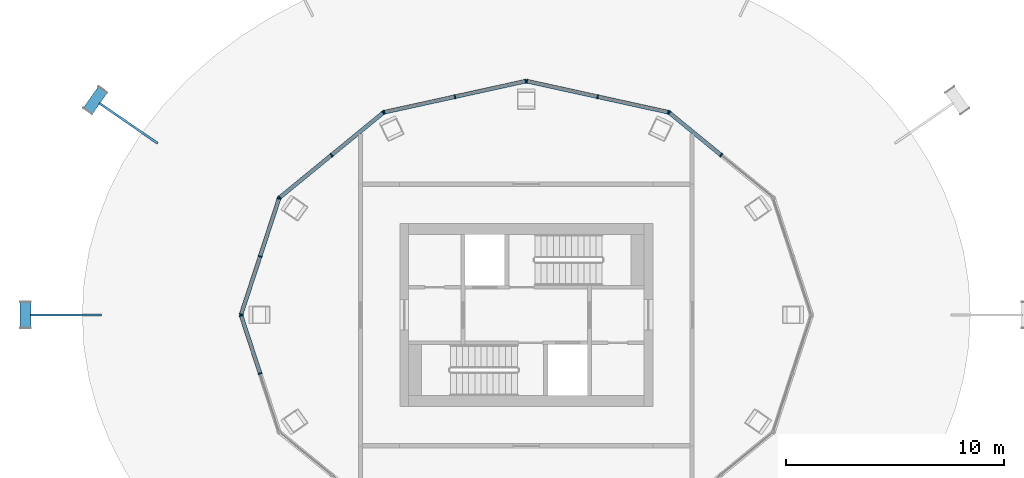
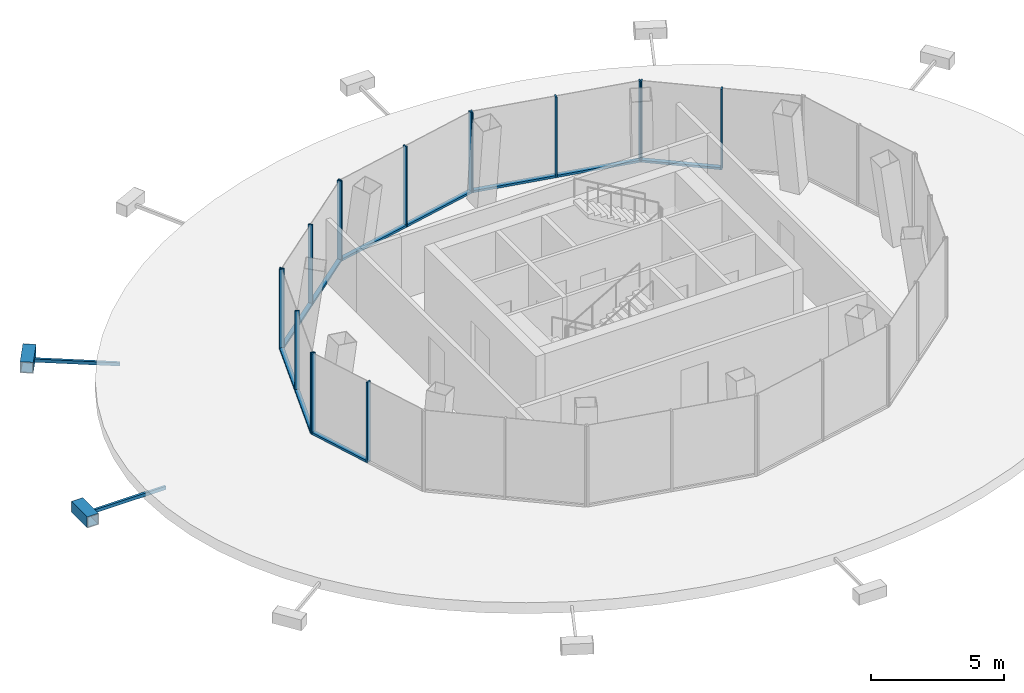
# One storey, part 3 of 10: 30 members, 6 elements without a shape of their own.
"""IFC4 building model written with IfcOpenShell, lengths in metres."""

from ifc_helpers import new_model, si_unit, direction, frame, origin, origin_2d, place, context, subcontext, project, spatial, rectangle, hollow_rectangle, extrude, material, layer, layer_set, material_profile, profile_set, type_object, element, aggregate, save


model = new_model("IFC4")

# Units and contexts
model_context = context("Model", 3, precision=1e-05, world=origin(), true_north=direction((0.0, 1.0)))
body_context = subcontext(model_context, "Body", "Model", "MODEL_VIEW")
ifc_project = project(units=[si_unit("LENGTHUNIT", "METRE"), si_unit("AREAUNIT", "SQUARE_METRE"), si_unit("VOLUMEUNIT", "CUBIC_METRE"), si_unit("PLANEANGLEUNIT", "RADIAN"), si_unit("MASSUNIT", "GRAM", prefix="KILO")], contexts=[model_context])

# Site, building, storey
site_placement = place(None, origin())
site = spatial("IfcSite", under=ifc_project, at=site_placement, CompositionType="ELEMENT")
building_placement = place(site_placement, origin())
building = spatial("IfcBuilding", under=site, at=building_placement, Name="Siaravel Broadcast Tower", CompositionType="ELEMENT")
storey_placement = place(building_placement, frame((0.0, 0.0, 272.60009765625)))
storey = spatial("IfcBuildingStorey", under=building, at=storey_placement, Name="L66", CompositionType="ELEMENT", Elevation=272.60009765625)

# Curtain wall, members
ifc_material_1 = material(Name="Aluminium 6063-T6", Category="aluminium")
ifc_layer = layer(ifc_material_1, 0.179931640625)
ifc_layer_set = layer_set([ifc_layer], Name="Aluminium 6063-T6")
curtain_wall_type = type_object("IfcCurtainWallType", Name="Crown glass facet wall", PredefinedType="NOTDEFINED", material=ifc_layer_set)
curtain_wall_1_placement = place(storey_placement, origin())
curtain_wall_1 = element("IfcCurtainWall", 1, at=curtain_wall_1_placement, inside=storey, type_object=curtain_wall_type, Name="L66 Crown glass facet wall 02", PredefinedType="NOTDEFINED")
ifc_material_profile_1 = material_profile(ifc_material_1, rectangle(XDim=0.179931640625, YDim=0.06005859375, at=origin_2d()))
ifc_profile_set_1 = profile_set([ifc_material_profile_1], Name="Aluminium 6063-T6")
member_type_1 = type_object("IfcMemberType", Name="CW-CR mullion", PredefinedType="MULLION", material=ifc_profile_set_1)
member_1_placement = place(storey_placement, frame((8.9326171875, 7.328369140625, 0.0), z_axis=(0.0, 0.0, 1.0), x_axis=(-0.63371155, -0.773569435, 0.0)))
member_1 = element("IfcMember", 2, at=member_1_placement, type_object=member_type_1, Name="CW-CR mullion 2", PredefinedType="MULLION", context=body_context, shape_type="SweptSolid", body=[
    extrude(rectangle(XDim=0.179931640625, YDim=0.06005859375, at=origin_2d()), origin(), (0.0, 0.0, 1.0), 3.699951171875),
])
member_2_placement = place(storey_placement, frame((6.560791015625, 9.271240234375, 0.0), z_axis=(0.0, 0.0, 1.0), x_axis=(-0.63371155, -0.773569435, 0.0)))
member_2 = element("IfcMember", 3, at=member_2_placement, type_object=member_type_1, Name="CW-CR mullion 3", PredefinedType="MULLION", context=body_context, shape_type="SweptSolid", body=[
    extrude(rectangle(XDim=0.179931640625, YDim=0.06005859375, at=origin_2d()), origin(), (0.0, 0.0, 1.0), 3.699951171875),
])

curtain_wall_2_placement = place(storey_placement, origin())
curtain_wall_2 = element("IfcCurtainWall", 4, at=curtain_wall_2_placement, inside=storey, type_object=curtain_wall_type, Name="L66 Crown glass facet wall 03", PredefinedType="NOTDEFINED")
member_3_placement = place(storey_placement, frame((6.50830078125, 9.296630859375, 0.0), z_axis=(0.0, 0.0, 1.0), x_axis=(-0.214393853, -0.976747294, 0.0)))
member_3 = element("IfcMember", 5, at=member_3_placement, type_object=member_type_1, Name="CW-CR mullion 1", PredefinedType="MULLION", context=body_context, shape_type="SweptSolid", body=[
    extrude(rectangle(XDim=0.179931640625, YDim=0.06005859375, at=origin_2d()), origin(), (0.0, 0.0, 1.0), 3.699951171875),
])
member_4_placement = place(storey_placement, frame((3.268798828125, 10.0078125, 0.0), z_axis=(0.0, 0.0, 1.0), x_axis=(-0.214393853, -0.976747294, 0.0)))
member_4 = element("IfcMember", 6, at=member_4_placement, type_object=member_type_1, Name="CW-CR mullion 2", PredefinedType="MULLION", context=body_context, shape_type="SweptSolid", body=[
    extrude(rectangle(XDim=0.179931640625, YDim=0.06005859375, at=origin_2d()), origin(), (0.0, 0.0, 1.0), 3.699951171875),
])
member_5_placement = place(storey_placement, frame((0.029296875, 10.71875, 0.0), z_axis=(0.0, 0.0, 1.0), x_axis=(-0.214393853, -0.976747294, 0.0)))
member_5 = element("IfcMember", 7, at=member_5_placement, type_object=member_type_1, Name="CW-CR mullion 3", PredefinedType="MULLION", context=body_context, shape_type="SweptSolid", body=[
    extrude(rectangle(XDim=0.179931640625, YDim=0.06005859375, at=origin_2d()), origin(), (0.0, 0.0, 1.0), 3.699951171875),
])

curtain_wall_3_placement = place(storey_placement, origin())
curtain_wall_3 = element("IfcCurtainWall", 8, at=curtain_wall_3_placement, inside=storey, type_object=curtain_wall_type, Name="L66 Crown glass facet wall 04", PredefinedType="NOTDEFINED")
member_6_placement = place(storey_placement, frame((-0.029296875, 10.71875, 0.0), z_axis=(0.0, 0.0, 1.0), x_axis=(0.214393853, -0.976747294, 0.0)))
member_6 = element("IfcMember", 9, at=member_6_placement, type_object=member_type_1, Name="CW-CR mullion 1", PredefinedType="MULLION", context=body_context, shape_type="SweptSolid", body=[
    extrude(rectangle(XDim=0.179931640625, YDim=0.06005859375, at=origin_2d()), origin(), (0.0, 0.0, 1.0), 3.699951171875),
])
member_7_placement = place(storey_placement, frame((-3.268798828125, 10.0078125, 0.0), z_axis=(0.0, 0.0, 1.0), x_axis=(0.214393853, -0.976747294, 0.0)))
member_7 = element("IfcMember", 10, at=member_7_placement, type_object=member_type_1, Name="CW-CR mullion 2", PredefinedType="MULLION", context=body_context, shape_type="SweptSolid", body=[
    extrude(rectangle(XDim=0.179931640625, YDim=0.06005859375, at=origin_2d()), origin(), (0.0, 0.0, 1.0), 3.699951171875),
])
member_8_placement = place(storey_placement, frame((-6.50830078125, 9.296630859375, 0.0), z_axis=(0.0, 0.0, 1.0), x_axis=(0.214393853, -0.976747294, 0.0)))
member_8 = element("IfcMember", 11, at=member_8_placement, type_object=member_type_1, Name="CW-CR mullion 3", PredefinedType="MULLION", context=body_context, shape_type="SweptSolid", body=[
    extrude(rectangle(XDim=0.179931640625, YDim=0.06005859375, at=origin_2d()), origin(), (0.0, 0.0, 1.0), 3.699951171875),
])

curtain_wall_4_placement = place(storey_placement, origin())
curtain_wall_4 = element("IfcCurtainWall", 12, at=curtain_wall_4_placement, inside=storey, type_object=curtain_wall_type, Name="L66 Crown glass facet wall 05", PredefinedType="NOTDEFINED")
member_9_placement = place(storey_placement, frame((-6.560791015625, 9.271240234375, 0.0), z_axis=(0.0, 0.0, 1.0), x_axis=(0.63371155, -0.773569435, 0.0)))
member_9 = element("IfcMember", 13, at=member_9_placement, type_object=member_type_1, Name="CW-CR mullion 1", PredefinedType="MULLION", context=body_context, shape_type="SweptSolid", body=[
    extrude(rectangle(XDim=0.179931640625, YDim=0.06005859375, at=origin_2d()), origin(), (0.0, 0.0, 1.0), 3.699951171875),
])
member_10_placement = place(storey_placement, frame((-8.9326171875, 7.328369140625, 0.0), z_axis=(0.0, 0.0, 1.0), x_axis=(0.63371155, -0.773569435, 0.0)))
member_10 = element("IfcMember", 14, at=member_10_placement, type_object=member_type_1, Name="CW-CR mullion 2", PredefinedType="MULLION", context=body_context, shape_type="SweptSolid", body=[
    extrude(rectangle(XDim=0.179931640625, YDim=0.06005859375, at=origin_2d()), origin(), (0.0, 0.0, 1.0), 3.699951171875),
])
member_11_placement = place(storey_placement, frame((-11.30419921875, 5.385498046875, 0.0), z_axis=(0.0, 0.0, 1.0), x_axis=(0.63371155, -0.773569435, 0.0)))
member_11 = element("IfcMember", 15, at=member_11_placement, type_object=member_type_1, Name="CW-CR mullion 3", PredefinedType="MULLION", context=body_context, shape_type="SweptSolid", body=[
    extrude(rectangle(XDim=0.179931640625, YDim=0.06005859375, at=origin_2d()), origin(), (0.0, 0.0, 1.0), 3.699951171875),
])

curtain_wall_5_placement = place(storey_placement, origin())
curtain_wall_5 = element("IfcCurtainWall", 16, at=curtain_wall_5_placement, inside=storey, type_object=curtain_wall_type, Name="L66 Crown glass facet wall 06", PredefinedType="NOTDEFINED")
member_12_placement = place(storey_placement, frame((-11.3369140625, 5.337890625, 0.0), z_axis=(0.0, 0.0, 1.0), x_axis=(0.950455191, -0.310861592, 0.0)))
member_12 = element("IfcMember", 17, at=member_12_placement, type_object=member_type_1, Name="CW-CR mullion 1", PredefinedType="MULLION", context=body_context, shape_type="SweptSolid", body=[
    extrude(rectangle(XDim=0.179931640625, YDim=0.06005859375, at=origin_2d()), origin(), (0.0, 0.0, 1.0), 3.699951171875),
])
member_13_placement = place(storey_placement, frame((-12.205078125, 2.68310546875, 0.0), z_axis=(0.0, 0.0, 1.0), x_axis=(0.950455191, -0.310861592, 0.0)))
member_13 = element("IfcMember", 18, at=member_13_placement, type_object=member_type_1, Name="CW-CR mullion 2", PredefinedType="MULLION", context=body_context, shape_type="SweptSolid", body=[
    extrude(rectangle(XDim=0.179931640625, YDim=0.06005859375, at=origin_2d()), origin(), (0.0, 0.0, 1.0), 3.699951171875),
])
member_14_placement = place(storey_placement, frame((-13.0732421875, 0.028564453125, 0.0), z_axis=(0.0, 0.0, 1.0), x_axis=(0.950455191, -0.310861592, 0.0)))
member_14 = element("IfcMember", 19, at=member_14_placement, type_object=member_type_1, Name="CW-CR mullion 3", PredefinedType="MULLION", context=body_context, shape_type="SweptSolid", body=[
    extrude(rectangle(XDim=0.179931640625, YDim=0.06005859375, at=origin_2d()), origin(), (0.0, 0.0, 1.0), 3.699951171875),
])

curtain_wall_6_placement = place(storey_placement, origin())
curtain_wall_6 = element("IfcCurtainWall", 20, at=curtain_wall_6_placement, inside=storey, type_object=curtain_wall_type, Name="L66 Crown glass facet wall 07", PredefinedType="NOTDEFINED")
member_15_placement = place(storey_placement, frame((-13.0732421875, -0.028564453125, 0.0), z_axis=(0.0, 0.0, 1.0), x_axis=(0.950455191, 0.310861592, 0.0)))
member_15 = element("IfcMember", 21, at=member_15_placement, type_object=member_type_1, Name="CW-CR mullion 1", PredefinedType="MULLION", context=body_context, shape_type="SweptSolid", body=[
    extrude(rectangle(XDim=0.179931640625, YDim=0.06005859375, at=origin_2d()), origin(), (0.0, 0.0, 1.0), 3.699951171875),
])
member_16_placement = place(storey_placement, frame((-12.205078125, -2.68310546875, 0.0), z_axis=(0.0, 0.0, 1.0), x_axis=(0.950455191, 0.310861592, 0.0)))
member_16 = element("IfcMember", 22, at=member_16_placement, type_object=member_type_1, Name="CW-CR mullion 2", PredefinedType="MULLION", context=body_context, shape_type="SweptSolid", body=[
    extrude(rectangle(XDim=0.179931640625, YDim=0.06005859375, at=origin_2d()), origin(), (0.0, 0.0, 1.0), 3.699951171875),
])

# Member
ifc_material_profile_2 = material_profile(ifc_material_1, rectangle(XDim=0.179931640625, YDim=0.10009765625, at=origin_2d()))
ifc_profile_set_2 = profile_set([ifc_material_profile_2], Name="Aluminium 6063-T6")
member_type_2 = type_object("IfcMemberType", Name="CW-CR transom", PredefinedType="USERDEFINED", material=ifc_profile_set_2)
member_17_placement = place(storey_placement, frame((8.9091796875, 7.347412109375, 0.0498046875), z_axis=(-0.773573557, 0.633706519, 0.0), x_axis=(-0.633706519, -0.773573557, 0.0)))
member_17 = element("IfcMember", 23, at=member_17_placement, type_object=member_type_2, Name="CW-CR transom 2", ObjectType="TRANSOM", PredefinedType="USERDEFINED", context=body_context, shape_type="SweptSolid", body=[
    extrude(rectangle(XDim=0.179931640625, YDim=0.10009765625, at=origin_2d()), origin(), (0.0, 0.0, 1.0), 3.005859375),
])

aggregate(curtain_wall_1, [member_1, member_2, member_17])

member_18_placement = place(storey_placement, frame((6.47900390625, 9.302978515625, 0.0498046875), z_axis=(-0.976744726, 0.21440555, 0.0), x_axis=(-0.21440555, -0.976744726, 0.0)))
member_18 = element("IfcMember", 24, at=member_18_placement, type_object=member_type_2, Name="CW-CR transom 1", ObjectType="TRANSOM", PredefinedType="USERDEFINED", context=body_context, shape_type="SweptSolid", body=[
    extrude(rectangle(XDim=0.179931640625, YDim=0.10009765625, at=origin_2d()), origin(), (0.0, 0.0, 1.0), 3.256591796875),
])

member_19_placement = place(storey_placement, frame((3.239501953125, 10.01416015625, 0.0498046875), z_axis=(-0.976744726, 0.21440555, 0.0), x_axis=(-0.21440555, -0.976744726, 0.0)))
member_19 = element("IfcMember", 25, at=member_19_placement, type_object=member_type_2, Name="CW-CR transom 2", ObjectType="TRANSOM", PredefinedType="USERDEFINED", context=body_context, shape_type="SweptSolid", body=[
    extrude(rectangle(XDim=0.179931640625, YDim=0.10009765625, at=origin_2d()), origin(), (0.0, 0.0, 1.0), 3.256591796875),
])

aggregate(curtain_wall_2, [member_3, member_4, member_5, member_18, member_19])

member_20_placement = place(storey_placement, frame((-0.05859375, 10.71240234375, 0.0498046875), z_axis=(-0.976744726, -0.21440555, 0.0), x_axis=(0.21440555, -0.976744726, 0.0)))
member_20 = element("IfcMember", 26, at=member_20_placement, type_object=member_type_2, Name="CW-CR transom 1", ObjectType="TRANSOM", PredefinedType="USERDEFINED", context=body_context, shape_type="SweptSolid", body=[
    extrude(rectangle(XDim=0.179931640625, YDim=0.10009765625, at=origin_2d()), origin(), (0.0, 0.0, 1.0), 3.256591796875),
])

member_21_placement = place(storey_placement, frame((-3.298095703125, 10.001220703125, 0.0498046875), z_axis=(-0.976744726, -0.21440555, 0.0), x_axis=(0.21440555, -0.976744726, 0.0)))
member_21 = element("IfcMember", 27, at=member_21_placement, type_object=member_type_2, Name="CW-CR transom 2", ObjectType="TRANSOM", PredefinedType="USERDEFINED", context=body_context, shape_type="SweptSolid", body=[
    extrude(rectangle(XDim=0.179931640625, YDim=0.10009765625, at=origin_2d()), origin(), (0.0, 0.0, 1.0), 3.256591796875),
])

aggregate(curtain_wall_3, [member_6, member_7, member_8, member_20, member_21])

member_22_placement = place(storey_placement, frame((-6.583984375, 9.252197265625, 0.0498046875), z_axis=(-0.773573557, -0.633706519, 0.0), x_axis=(0.633706519, -0.773573557, 0.0)))
member_22 = element("IfcMember", 28, at=member_22_placement, type_object=member_type_2, Name="CW-CR transom 1", ObjectType="TRANSOM", PredefinedType="USERDEFINED", context=body_context, shape_type="SweptSolid", body=[
    extrude(rectangle(XDim=0.179931640625, YDim=0.10009765625, at=origin_2d()), origin(), (0.0, 0.0, 1.0), 3.005859375),
])

member_23_placement = place(storey_placement, frame((-8.955810546875, 7.309326171875, 0.0498046875), z_axis=(-0.77353374, -0.633755121, 0.0), x_axis=(0.633755121, -0.77353374, 0.0)))
member_23 = element("IfcMember", 29, at=member_23_placement, type_object=member_type_2, Name="CW-CR transom 2", ObjectType="TRANSOM", PredefinedType="USERDEFINED", context=body_context, shape_type="SweptSolid", body=[
    extrude(rectangle(XDim=0.179931640625, YDim=0.10009765625, at=origin_2d()), origin(), (0.0, 0.0, 1.0), 3.005859375),
])

aggregate(curtain_wall_4, [member_9, member_10, member_11, member_22, member_23])

member_24_placement = place(storey_placement, frame((-11.34619140625, 5.309326171875, 0.0498046875), z_axis=(-0.310863012, -0.950454727, 0.0), x_axis=(0.950454727, -0.310863012, 0.0)))
member_24 = element("IfcMember", 30, at=member_24_placement, type_object=member_type_2, Name="CW-CR transom 1", ObjectType="TRANSOM", PredefinedType="USERDEFINED", context=body_context, shape_type="SweptSolid", body=[
    extrude(rectangle(XDim=0.179931640625, YDim=0.10009765625, at=origin_2d()), origin(), (0.0, 0.0, 1.0), 2.733154296875),
])

member_25_placement = place(storey_placement, frame((-12.21435546875, 2.65478515625, 0.0498046875), z_axis=(-0.310836621, -0.950463358, 0.0), x_axis=(0.950463358, -0.310836621, 0.0)))
member_25 = element("IfcMember", 31, at=member_25_placement, type_object=member_type_2, Name="CW-CR transom 2", ObjectType="TRANSOM", PredefinedType="USERDEFINED", context=body_context, shape_type="SweptSolid", body=[
    extrude(rectangle(XDim=0.179931640625, YDim=0.10009765625, at=origin_2d()), origin(), (0.0, 0.0, 1.0), 2.7333984375),
])

aggregate(curtain_wall_5, [member_12, member_13, member_14, member_24, member_25])

member_26_placement = place(storey_placement, frame((-13.06396484375, -0.056884765625, 0.0498046875), z_axis=(0.310836621, -0.950463358, 0.0), x_axis=(0.950463358, 0.310836621, 0.0)))
member_26 = element("IfcMember", 32, at=member_26_placement, type_object=member_type_2, Name="CW-CR transom 1", ObjectType="TRANSOM", PredefinedType="USERDEFINED", context=body_context, shape_type="SweptSolid", body=[
    extrude(rectangle(XDim=0.179931640625, YDim=0.10009765625, at=origin_2d()), origin(), (0.0, 0.0, 1.0), 2.7333984375),
])

aggregate(curtain_wall_6, [member_15, member_16, member_26])

# Members
ifc_material_2 = material(Name="Steel S460", Category="steel")
ifc_material_profile_3 = material_profile(ifc_material_2, hollow_rectangle(XDim=0.5, YDim=0.5, WallThickness=0.031982421875, at=origin_2d()))
ifc_profile_set_3 = profile_set([ifc_material_profile_3], Name="Steel S460")
member_type_3 = type_object("IfcMemberType", Name="Diagrid node BOX 500x500x32", PredefinedType="USERDEFINED", material=ifc_profile_set_3)
member_27_placement = place(storey_placement, frame((-19.418701171875, 10.322998046875, -0.2001953125), z_axis=(-0.575972278, -0.817469226, 0.0), x_axis=(0.817469226, -0.575972278, 0.0)))
element("IfcMember", 33, at=member_27_placement, inside=storey, type_object=member_type_3, Name="Diagrid node R27 station 30", ObjectType="DIAGRID NODE", PredefinedType="USERDEFINED", context=body_context, shape_type="SweptSolid", body=[
    extrude(hollow_rectangle(XDim=0.5, YDim=0.5, WallThickness=0.031982421875, at=origin_2d()), origin(), (0.0, 0.0, 1.0), 1.186767578125),
])
member_28_placement = place(storey_placement, frame((-22.96337890625, 0.593505859375, -0.2001953125), z_axis=(0.0, -1.0, 0.0), x_axis=(1.0, 0.0, 0.0)))
element("IfcMember", 34, at=member_28_placement, inside=storey, type_object=member_type_3, Name="Diagrid node R27 station 36", ObjectType="DIAGRID NODE", PredefinedType="USERDEFINED", context=body_context, shape_type="SweptSolid", body=[
    extrude(hollow_rectangle(XDim=0.5, YDim=0.5, WallThickness=0.031982421875, at=origin_2d()), origin(), (0.0, 0.0, 1.0), 1.18701171875),
])
ifc_material_profile_4 = material_profile(ifc_material_2, hollow_rectangle(XDim=0.10009765625, YDim=0.14990234375, WallThickness=0.008056640625, at=origin_2d()))
ifc_profile_set_4 = profile_set([ifc_material_profile_4], Name="Steel S460")
member_type_4 = type_object("IfcMemberType", Name="Diagrid node arm RHS 150x100x8", PredefinedType="STRUT", material=ifc_profile_set_4)
member_29_placement = place(storey_placement, frame((-16.9013671875, 7.8681640625, -0.25), z_axis=(-0.823487336, 0.567334652, 0.0), x_axis=(-0.567334652, -0.823487336, 0.0)))
element("IfcMember", 35, at=member_29_placement, inside=storey, type_object=member_type_4, Name="Node arm R27 station 30", PredefinedType="STRUT", context=body_context, shape_type="SweptSolid", body=[
    extrude(hollow_rectangle(XDim=0.10009765625, YDim=0.14990234375, WallThickness=0.008056640625, at=origin_2d()), origin(), (0.0, 0.0, 1.0), 3.251953125),
])
member_30_placement = place(storey_placement, frame((-19.477294921875, 0.0, -0.25), z_axis=(-1.0, 0.0, 0.0), x_axis=(0.0, -1.0, 0.0)))
element("IfcMember", 36, at=member_30_placement, inside=storey, type_object=member_type_4, Name="Node arm R27 station 36", PredefinedType="STRUT", context=body_context, shape_type="SweptSolid", body=[
    extrude(hollow_rectangle(XDim=0.10009765625, YDim=0.14990234375, WallThickness=0.008056640625, at=origin_2d()), origin(), (0.0, 0.0, 1.0), 3.26611328125),
])

save(model, "model.ifc")
